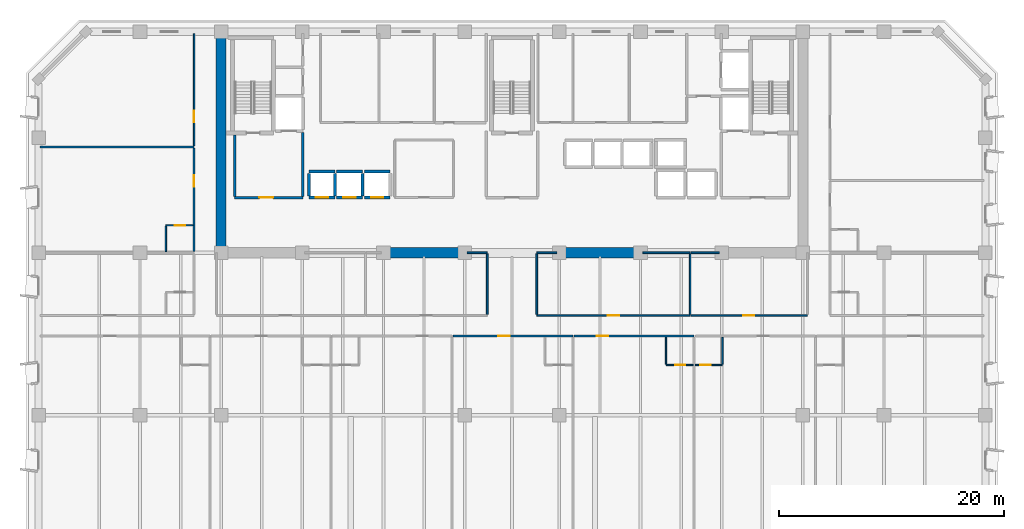
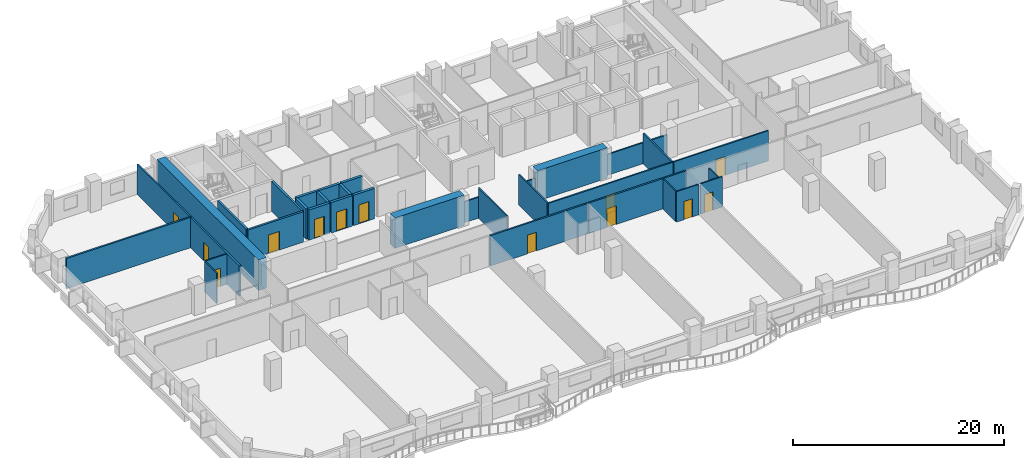
# One storey, part 6 of 15: 35 walls, 13 doors, 13 openings.
"""IFC4 building model written with IfcOpenShell, lengths in metres."""

from ifc_helpers import new_model, si_unit, direction, frame, frame_2d, origin, place, context, subcontext, project, spatial, rectangle, extrude, material, layer, layer_set, type_object, element, fill, save


model = new_model("IFC4")

# Units and contexts
model_context = context("Model", 3, precision=1e-05, world=origin(), true_north=direction((0.0, 1.0)))
body_context = subcontext(model_context, "Body", "Model", "MODEL_VIEW")
ifc_project = project(units=[si_unit("LENGTHUNIT", "METRE"), si_unit("AREAUNIT", "SQUARE_METRE"), si_unit("VOLUMEUNIT", "CUBIC_METRE"), si_unit("PLANEANGLEUNIT", "RADIAN"), si_unit("MASSUNIT", "GRAM", prefix="KILO")], contexts=[model_context])

# Site, building, storey
site_placement = place(None, origin())
site = spatial("IfcSite", under=ifc_project, at=site_placement, CompositionType="ELEMENT")
building_placement = place(site_placement, origin())
building = spatial("IfcBuilding", under=site, at=building_placement, Name="Kaelvorn Grand Hotel", CompositionType="ELEMENT")
storey_placement = place(building_placement, frame((0.0, 0.0, 100.550048828125)))
storey = spatial("IfcBuildingStorey", under=building, at=storey_placement, Name="L23", CompositionType="ELEMENT", Elevation=100.550048828125)

# Walls
ifc_material_1 = material(Name="Concrete C60/75", Category="concrete")
ifc_layer_1 = layer(ifc_material_1, 0.89990234375)
ifc_layer_set_1 = layer_set([ifc_layer_1], Name="Concrete C60/75")
wall_type_1 = type_object("IfcWallType", Name="WL-CORE-900-C60", PredefinedType="SHEAR", material=ifc_layer_set_1)
wall_1_placement = place(storey_placement, frame((16.199951171875, 29.39990234375, 0.0), z_axis=(0.0, 0.0, 1.0), x_axis=(0.0, 1.0, 0.0)))
element("IfcWall", 1, at=wall_1_placement, inside=storey, type_object=wall_type_1, Name="L23 Rear-Core West Shear Wall", PredefinedType="SHEAR", context=body_context, shape_type="SweptSolid", body=[
    extrude(rectangle(XDim=19.2001953125, YDim=0.89990234375, at=frame_2d((9.60009765625, 0.0))), origin(), (0.0, 0.0, 1.0), 3.510009765625),
])
for number, where, z_axis, x_axis, name in (
    (2, (30.39990234375, 29.39990234375, 0.0), (0.0, 0.0, 1.0), (1.0, 0.0, 0.0), "L23 Rear-Core Coupled Shear Pier S2"),
    (3, (46.0, 29.39990234375, 0.0), (0.0, 0.0, 1.0), (1.0, 0.0, 0.0), "L23 Rear-Core Coupled Shear Pier S3"),
):
    element("IfcWall", number, at=place(storey_placement, frame(where, z_axis=z_axis, x_axis=x_axis)), inside=storey, type_object=wall_type_1, Name=name, PredefinedType="SHEAR", context=body_context, shape_type="SweptSolid", body=[
        extrude(rectangle(XDim=7.60009765625, YDim=0.89990234375, at=frame_2d((3.800048828125, 0.0))), origin(), (0.0, 0.0, 1.0), 3.510009765625),
    ])

# Wall, opening, door
ifc_material_2 = material(Name="Moisture-Resistant Tile & Stud Board")
ifc_layer_2 = layer(ifc_material_2, 0.125)
ifc_layer_set_2 = layer_set([ifc_layer_2], Name="Moisture-Resistant Tile & Stud Board")
wall_type_2 = type_object("IfcWallType", Name="WL-PART-125-WET", PredefinedType="PARTITIONING", material=ifc_layer_set_2)
wall_2_placement = place(storey_placement, frame((55.66455078125, 19.449951171875, 0.0), z_axis=(0.0, 0.0, 1.0), x_axis=(1.0, 0.0, 0.0)))
wall_2 = element("IfcWall", 4, at=wall_2_placement, inside=storey, type_object=wall_type_2, Name="L23 En-suite Bathroom L23-05 S Partition", PredefinedType="PARTITIONING", context=body_context, shape_type="SweptSolid", body=[
    extrude(rectangle(XDim=2.405029296875, YDim=0.125, at=frame_2d((1.20263671875, 0.0))), origin(), (0.0, 0.0, 1.0), 3.510009765625),
])
opening_1_placement = place(wall_2_placement, frame((0.800048828125, 0.0, 0.0)))
opening_1 = element("IfcOpeningElement", 5, at=opening_1_placement, cuts=wall_2, Name="Opening DI4", PredefinedType="OPENING", context=body_context, shape_type="SweptSolid", body=[
    extrude(rectangle(XDim=0.89990234375, YDim=2.10009765625, at=frame_2d((0.449951171875, 1.050048828125))), frame((0.0, 0.072509765625, 0.0), z_axis=(0.0, -1.0, 0.0), x_axis=(1.0, 0.0, 0.0)), (0.0, 0.0, 1.0), 0.14501953125),
])
ifc_material_3 = material(Name="Timber Veneer Leaf", Category="wood")
door_type_1 = type_object("IfcDoorType", Name="DR-INT-BATH-900x2100", OperationType="NOTDEFINED", PredefinedType="DOOR", material=ifc_material_3)
door_1_placement = place(opening_1_placement, origin())
door_1 = element("IfcDoor", 6, at=door_1_placement, inside=storey, type_object=door_type_1, Name="L23 En-suite Bathroom L23-05 Door", OperationType="SINGLE_SWING_LEFT", OverallHeight=2.10009765625, OverallWidth=0.89990234375, PredefinedType="DOOR", context=body_context, shape_type="SweptSolid", body=[
    extrude(rectangle(XDim=0.89990234375, YDim=2.10009765625, at=frame_2d((0.449951171875, 1.050048828125))), frame((0.0, 0.02490234375, 0.0), z_axis=(0.0, -1.0, 0.0), x_axis=(1.0, 0.0, 0.0)), (0.0, 0.0, 1.0), 0.050048828125),
])
fill(opening_1, door_1)

# Wall
wall_3_placement = place(storey_placement, frame((55.66455078125, 19.517578125, 0.0), z_axis=(0.0, 0.0, 1.0), x_axis=(0.0, 1.0, 0.0)))
element("IfcWall", 7, at=wall_3_placement, inside=storey, type_object=wall_type_2, Name="L23 En-suite Bathroom L23-05 W Partition", PredefinedType="PARTITIONING", context=body_context, shape_type="SweptSolid", body=[
    extrude(rectangle(XDim=2.387451171875, YDim=0.125, at=frame_2d((1.19384765625, 0.0))), origin(), (0.0, 0.0, 1.0), 3.510009765625),
])

# Wall, opening, door
wall_4_placement = place(storey_placement, frame((58.259521484375, 19.449951171875, 0.0), z_axis=(0.0, 0.0, 1.0), x_axis=(1.0, 0.0, 0.0)))
wall_4 = element("IfcWall", 8, at=wall_4_placement, inside=storey, type_object=wall_type_2, Name="L23 En-suite Bathroom L23-06 S Partition", PredefinedType="PARTITIONING", context=body_context, shape_type="SweptSolid", body=[
    extrude(rectangle(XDim=2.405029296875, YDim=0.125, at=frame_2d((1.20263671875, 0.0))), origin(), (0.0, 0.0, 1.0), 3.510009765625),
])
opening_2_placement = place(wall_4_placement, frame((0.455078125, 0.0, 0.0)))
opening_2 = element("IfcOpeningElement", 9, at=opening_2_placement, cuts=wall_4, Name="Opening DI4", PredefinedType="OPENING", context=body_context, shape_type="SweptSolid", body=[
    extrude(rectangle(XDim=0.89990234375, YDim=2.10009765625, at=frame_2d((0.449951171875, 1.050048828125))), frame((0.0, 0.072509765625, 0.0), z_axis=(0.0, -1.0, 0.0), x_axis=(1.0, 0.0, 0.0)), (0.0, 0.0, 1.0), 0.14501953125),
])
door_2_placement = place(opening_2_placement, origin())
door_2 = element("IfcDoor", 10, at=door_2_placement, inside=storey, type_object=door_type_1, Name="L23 En-suite Bathroom L23-06 Door", OperationType="SINGLE_SWING_LEFT", OverallHeight=2.10009765625, OverallWidth=0.89990234375, PredefinedType="DOOR", context=body_context, shape_type="SweptSolid", body=[
    extrude(rectangle(XDim=0.89990234375, YDim=2.10009765625, at=frame_2d((0.449951171875, 1.050048828125))), frame((0.0, 0.02490234375, 0.0), z_axis=(0.0, -1.0, 0.0), x_axis=(1.0, 0.0, 0.0)), (0.0, 0.0, 1.0), 0.050048828125),
])
fill(opening_2, door_2)

# Wall
wall_5_placement = place(storey_placement, frame((60.66455078125, 19.517578125, 0.0), z_axis=(0.0, 0.0, 1.0), x_axis=(0.0, 1.0, 0.0)))
element("IfcWall", 11, at=wall_5_placement, inside=storey, type_object=wall_type_2, Name="L23 En-suite Bathroom L23-06 E Partition", PredefinedType="PARTITIONING", context=body_context, shape_type="SweptSolid", body=[
    extrude(rectangle(XDim=2.387451171875, YDim=0.125, at=frame_2d((1.19384765625, 0.0))), origin(), (0.0, 0.0, 1.0), 2.976806640625),
])

# Wall, opening, door
wall_6_placement = place(storey_placement, frame((11.300048828125, 31.840087890625, 0.0), z_axis=(0.0, 0.0, 1.0), x_axis=(1.0, 0.0, 0.0)))
wall_6 = element("IfcWall", 12, at=wall_6_placement, inside=storey, type_object=wall_type_2, Name="L23 En-suite Bathroom L23-10 N Partition", PredefinedType="PARTITIONING", context=body_context, shape_type="SweptSolid", body=[
    extrude(rectangle(XDim=2.405029296875, YDim=0.125, at=frame_2d((1.20263671875, 0.0))), origin(), (0.0, 0.0, 1.0), 3.510009765625),
])
opening_3_placement = place(wall_6_placement, frame((0.800048828125, 0.0, 0.0)))
opening_3 = element("IfcOpeningElement", 13, at=opening_3_placement, cuts=wall_6, Name="Opening DI4", PredefinedType="OPENING", context=body_context, shape_type="SweptSolid", body=[
    extrude(rectangle(XDim=0.89990234375, YDim=2.10009765625, at=frame_2d((0.449951171875, 1.050048828125))), frame((0.0, 0.072509765625, 0.0), z_axis=(0.0, -1.0, 0.0), x_axis=(1.0, 0.0, 0.0)), (0.0, 0.0, 1.0), 0.14501953125),
])
door_3_placement = place(opening_3_placement, origin())
door_3 = element("IfcDoor", 14, at=door_3_placement, inside=storey, type_object=door_type_1, Name="L23 En-suite Bathroom L23-10 Door", OperationType="SINGLE_SWING_LEFT", OverallHeight=2.10009765625, OverallWidth=0.89990234375, PredefinedType="DOOR", context=body_context, shape_type="SweptSolid", body=[
    extrude(rectangle(XDim=0.89990234375, YDim=2.10009765625, at=frame_2d((0.449951171875, 1.050048828125))), frame((0.0, 0.02490234375, 0.0), z_axis=(0.0, -1.0, 0.0), x_axis=(1.0, 0.0, 0.0)), (0.0, 0.0, 1.0), 0.050048828125),
])
fill(opening_3, door_3)

# Walls
wall_7_placement = place(storey_placement, frame((11.300048828125, 29.4951171875, 0.0), z_axis=(0.0, 0.0, 1.0), x_axis=(0.0, 1.0, 0.0)))
element("IfcWall", 15, at=wall_7_placement, inside=storey, type_object=wall_type_2, Name="L23 En-suite Bathroom L23-10 W Partition", PredefinedType="PARTITIONING", context=body_context, shape_type="SweptSolid", body=[
    extrude(rectangle(XDim=2.27734375, YDim=0.125, at=frame_2d((1.138671875, 0.0))), origin(), (0.0, 0.0, 1.0), 3.510009765625),
])
ifc_material_4 = material(Name="Acoustic Gypsum & Stud Partition")
ifc_layer_3 = layer(ifc_material_4, 0.14990234375)
ifc_layer_set_3 = layer_set([ifc_layer_3], Name="Acoustic Gypsum & Stud Partition")
wall_type_3 = type_object("IfcWallType", Name="WL-PART-150-EI60", PredefinedType="PARTITIONING", material=ifc_layer_set_3)
wall_8_placement = place(storey_placement, frame((38.010009765625, 29.39990234375, 0.0), z_axis=(0.0, 0.0, 1.0), x_axis=(1.0, 0.0, 0.0)))
element("IfcWall", 16, at=wall_8_placement, inside=storey, type_object=wall_type_3, Name="L23 Private Chef Kitchen N Partition (2)", PredefinedType="PARTITIONING", context=body_context, shape_type="SweptSolid", body=[
    extrude(rectangle(XDim=1.7900390625, YDim=0.14990234375, at=frame_2d((0.89501953125, 0.0))), origin(), (0.0, 0.0, 1.0), 2.409912109375),
])
wall_9_placement = place(storey_placement, frame((39.800048828125, 23.929931640625, 0.0), z_axis=(0.0, 0.0, 1.0), x_axis=(0.0, 1.0, 0.0)))
element("IfcWall", 17, at=wall_9_placement, inside=storey, type_object=wall_type_3, Name="L23 Private Chef Kitchen E Partition", PredefinedType="PARTITIONING", context=body_context, shape_type="SweptSolid", body=[
    extrude(rectangle(XDim=5.39013671875, YDim=0.14990234375, at=frame_2d((2.695068359375, 0.0))), origin(), (0.0, 0.0, 1.0), 3.510009765625),
])

# Wall, opening, door
wall_10_placement = place(storey_placement, frame((44.199951171875, 23.85009765625, 0.0), z_axis=(0.0, 0.0, 1.0), x_axis=(1.0, 0.0, 0.0)))
wall_10 = element("IfcWall", 18, at=wall_10_placement, inside=storey, type_object=wall_type_3, Name="L23 Summit Conference Room S Partition", PredefinedType="PARTITIONING", context=body_context, shape_type="SweptSolid", body=[
    extrude(rectangle(XDim=13.60009765625, YDim=0.14990234375, at=frame_2d((6.800048828125, 0.0))), origin(), (0.0, 0.0, 1.0), 3.510009765625),
])
opening_4_placement = place(wall_10_placement, frame((6.300048828125, 0.0, 0.0)))
opening_4 = element("IfcOpeningElement", 19, at=opening_4_placement, cuts=wall_10, Name="Opening DI3", PredefinedType="OPENING", context=body_context, shape_type="SweptSolid", body=[
    extrude(rectangle(XDim=1.0, YDim=2.14990234375, at=frame_2d((0.5, 1.074951171875))), frame((0.0, 0.0849609375, 0.0), z_axis=(0.0, -1.0, 0.0), x_axis=(1.0, 0.0, 0.0)), (0.0, 0.0, 1.0), 0.169921875),
])
ifc_material_5 = material(Name="Timber Veneer Fire Leaf", Category="wood")
door_type_2 = type_object("IfcDoorType", Name="DR-INT-GUEST-1000x2150", OperationType="NOTDEFINED", PredefinedType="DOOR", material=ifc_material_5)
door_4_placement = place(opening_4_placement, origin())
door_4 = element("IfcDoor", 20, at=door_4_placement, inside=storey, type_object=door_type_2, Name="L23 Summit Conference Room Door", OperationType="SINGLE_SWING_RIGHT", OverallHeight=2.14990234375, OverallWidth=1.0, PredefinedType="DOOR", context=body_context, shape_type="SweptSolid", body=[
    extrude(rectangle(XDim=1.0, YDim=2.14990234375, at=frame_2d((0.5, 1.074951171875))), frame((0.0, 0.02490234375, 0.0), z_axis=(0.0, -1.0, 0.0), x_axis=(1.0, 0.0, 0.0)), (0.0, 0.0, 1.0), 0.050048828125),
])
fill(opening_4, door_4)

# Walls
wall_11_placement = place(storey_placement, frame((44.199951171875, 29.39990234375, 0.0), z_axis=(0.0, 0.0, 1.0), x_axis=(1.0, 0.0, 0.0)))
element("IfcWall", 21, at=wall_11_placement, inside=storey, type_object=wall_type_3, Name="L23 Summit Conference Room N Partition (1)", PredefinedType="PARTITIONING", context=body_context, shape_type="SweptSolid", body=[
    extrude(rectangle(XDim=1.7900390625, YDim=0.14990234375, at=frame_2d((0.89501953125, 0.0))), origin(), (0.0, 0.0, 1.0), 2.409912109375),
])
wall_12_placement = place(storey_placement, frame((53.610107421875, 29.39990234375, 0.0), z_axis=(0.0, 0.0, 1.0), x_axis=(1.0, 0.0, 0.0)))
element("IfcWall", 22, at=wall_12_placement, inside=storey, type_object=wall_type_3, Name="L23 Summit Conference Room N Partition (2)", PredefinedType="PARTITIONING", context=body_context, shape_type="SweptSolid", body=[
    extrude(rectangle(XDim=4.18994140625, YDim=0.14990234375, at=frame_2d((2.094970703125, 0.0))), origin(), (0.0, 0.0, 1.0), 2.409912109375),
])
for number, where, z_axis, x_axis, name in (
    (23, (44.199951171875, 23.929931640625, 0.0), (0.0, 0.0, 1.0), (0.0, 1.0, 0.0), "L23 Summit Conference Room W Partition"),
    (24, (57.800048828125, 23.929931640625, 0.0), (0.0, 0.0, 1.0), (0.0, 1.0, 0.0), "L23 Summit Conference Room E Partition"),
):
    element("IfcWall", number, at=place(storey_placement, frame(where, z_axis=z_axis, x_axis=x_axis)), inside=storey, type_object=wall_type_3, Name=name, PredefinedType="PARTITIONING", context=body_context, shape_type="SweptSolid", body=[
        extrude(rectangle(XDim=5.39013671875, YDim=0.14990234375, at=frame_2d((2.695068359375, 0.0))), origin(), (0.0, 0.0, 1.0), 3.510009765625),
    ])

# Wall, opening, door
wall_13_placement = place(storey_placement, frame((57.8798828125, 23.85009765625, 0.0), z_axis=(0.0, 0.0, 1.0), x_axis=(1.0, 0.0, 0.0)))
wall_13 = element("IfcWall", 25, at=wall_13_placement, inside=storey, type_object=wall_type_3, Name="L23 Executive Law Office S Partition", PredefinedType="PARTITIONING", context=body_context, shape_type="SweptSolid", body=[
    extrude(rectangle(XDim=10.320068359375, YDim=0.14990234375, at=frame_2d((5.16015625, 0.0))), origin(), (0.0, 0.0, 1.0), 3.510009765625),
])
opening_5_placement = place(wall_13_placement, frame((4.6201171875, 0.0, 0.0)))
opening_5 = element("IfcOpeningElement", 26, at=opening_5_placement, cuts=wall_13, Name="Opening DI3", PredefinedType="OPENING", context=body_context, shape_type="SweptSolid", body=[
    extrude(rectangle(XDim=1.0, YDim=2.14990234375, at=frame_2d((0.5, 1.074951171875))), frame((0.0, 0.0849609375, 0.0), z_axis=(0.0, -1.0, 0.0), x_axis=(1.0, 0.0, 0.0)), (0.0, 0.0, 1.0), 0.169921875),
])
door_5_placement = place(opening_5_placement, origin())
door_5 = element("IfcDoor", 27, at=door_5_placement, inside=storey, type_object=door_type_2, Name="L23 Executive Law Office Door", OperationType="SINGLE_SWING_LEFT", OverallHeight=2.14990234375, OverallWidth=1.0, PredefinedType="DOOR", context=body_context, shape_type="SweptSolid", body=[
    extrude(rectangle(XDim=1.0, YDim=2.14990234375, at=frame_2d((0.5, 1.074951171875))), frame((0.0, 0.02490234375, 0.0), z_axis=(0.0, -1.0, 0.0), x_axis=(1.0, 0.0, 0.0)), (0.0, 0.0, 1.0), 0.050048828125),
])
fill(opening_5, door_5)

# Wall
wall_14_placement = place(storey_placement, frame((57.8798828125, 29.39990234375, 0.0), z_axis=(0.0, 0.0, 1.0), x_axis=(1.0, 0.0, 0.0)))
element("IfcWall", 28, at=wall_14_placement, inside=storey, type_object=wall_type_3, Name="L23 Executive Law Office N Partition", PredefinedType="PARTITIONING", context=body_context, shape_type="SweptSolid", body=[
    extrude(rectangle(XDim=2.510009765625, YDim=0.14990234375, at=frame_2d((1.2548828125, 0.0))), origin(), (0.0, 0.0, 1.0), 2.409912109375),
])

# Wall, opening, door
wall_15_placement = place(storey_placement, frame((13.800048828125, 38.89501953125, 0.0), z_axis=(0.0, 0.0, 1.0), x_axis=(0.0, 1.0, 0.0)))
wall_15 = element("IfcWall", 29, at=wall_15_placement, inside=storey, type_object=wall_type_3, Name="L23 North-West Executive Law Office E Partition", PredefinedType="PARTITIONING", context=body_context, shape_type="SweptSolid", body=[
    extrude(rectangle(XDim=9.955078125, YDim=0.14990234375, at=frame_2d((4.9775390625, 0.0))), origin(), (0.0, 0.0, 1.0), 3.510009765625),
])
opening_6_placement = place(wall_15_placement, frame((2.10498046875, 0.0, 0.0)))
opening_6 = element("IfcOpeningElement", 30, at=opening_6_placement, cuts=wall_15, Name="Opening DI3", PredefinedType="OPENING", context=body_context, shape_type="SweptSolid", body=[
    extrude(rectangle(XDim=1.0, YDim=2.14990234375, at=frame_2d((0.5, 1.074951171875))), frame((0.0, 0.0849609375, 0.0), z_axis=(0.0, -1.0, 0.0), x_axis=(1.0, 0.0, 0.0)), (0.0, 0.0, 1.0), 0.169921875),
])
door_6_placement = place(opening_6_placement, origin())
door_6 = element("IfcDoor", 31, at=door_6_placement, inside=storey, type_object=door_type_2, Name="L23 North-West Executive Law Office Door", OperationType="SINGLE_SWING_RIGHT", OverallHeight=2.14990234375, OverallWidth=1.0, PredefinedType="DOOR", context=body_context, shape_type="SweptSolid", body=[
    extrude(rectangle(XDim=1.0, YDim=2.14990234375, at=frame_2d((0.5, 1.074951171875))), frame((0.0, 0.02490234375, 0.0), z_axis=(0.0, -1.0, 0.0), x_axis=(1.0, 0.0, 0.0)), (0.0, 0.0, 1.0), 0.050048828125),
])
fill(opening_6, door_6)

ifc_layer_4 = layer(ifc_material_4, 0.179931640625)
ifc_layer_set_4 = layer_set([ifc_layer_4], Name="Acoustic Gypsum & Stud Partition")
wall_type_4 = type_object("IfcWallType", Name="WL-PART-180-EI60", PredefinedType="PARTITIONING", material=ifc_layer_set_4)
wall_16_placement = place(storey_placement, frame((36.773681640625, 22.0, 0.0), z_axis=(0.0, 0.0, 1.0), x_axis=(1.0, 0.0, 0.0)))
wall_16 = element("IfcWall", 32, at=wall_16_placement, inside=storey, type_object=wall_type_4, Name="L23 Deluxe Panoramic Suite L23-04 N Partition", PredefinedType="PARTITIONING", context=body_context, shape_type="SweptSolid", body=[
    extrude(rectangle(XDim=10.64794921875, YDim=0.179931640625, at=frame_2d((5.323974609375, 0.0))), origin(), (0.0, 0.0, 1.0), 3.510009765625),
])
opening_7_placement = place(wall_16_placement, frame((4.027099609375, 0.0, 0.0)))
opening_7 = element("IfcOpeningElement", 33, at=opening_7_placement, cuts=wall_16, Name="Opening DI3", PredefinedType="OPENING", context=body_context, shape_type="SweptSolid", body=[
    extrude(rectangle(XDim=1.0, YDim=2.14990234375, at=frame_2d((0.5, 1.074951171875))), frame((0.0, 0.10009765625, 0.0), z_axis=(0.0, -1.0, 0.0), x_axis=(1.0, 0.0, 0.0)), (0.0, 0.0, 1.0), 0.199951171875),
])
door_7_placement = place(opening_7_placement, origin())
door_7 = element("IfcDoor", 34, at=door_7_placement, inside=storey, type_object=door_type_2, Name="L23 Deluxe Panoramic Suite L23-04 Door", OperationType="SINGLE_SWING_RIGHT", OverallHeight=2.14990234375, OverallWidth=1.0, PredefinedType="DOOR", context=body_context, shape_type="SweptSolid", body=[
    extrude(rectangle(XDim=1.0, YDim=2.14990234375, at=frame_2d((0.5, 1.074951171875))), frame((0.0, 0.02490234375, 0.0), z_axis=(0.0, -1.0, 0.0), x_axis=(1.0, 0.0, 0.0)), (0.0, 0.0, 1.0), 0.050048828125),
])
fill(opening_7, door_7)

wall_17_placement = place(storey_placement, frame((47.5166015625, 22.0, 0.0), z_axis=(0.0, 0.0, 1.0), x_axis=(1.0, 0.0, 0.0)))
wall_17 = element("IfcWall", 35, at=wall_17_placement, inside=storey, type_object=wall_type_4, Name="L23 Deluxe Panoramic Suite L23-05 N Partition", PredefinedType="PARTITIONING", context=body_context, shape_type="SweptSolid", body=[
    extrude(rectangle(XDim=10.64794921875, YDim=0.179931640625, at=frame_2d((5.323974609375, 0.0))), origin(), (0.0, 0.0, 1.0), 3.510009765625),
])
opening_8_placement = place(wall_17_placement, frame((2.004150390625, 0.0, 0.0)))
opening_8 = element("IfcOpeningElement", 36, at=opening_8_placement, cuts=wall_17, Name="Opening DI3", PredefinedType="OPENING", context=body_context, shape_type="SweptSolid", body=[
    extrude(rectangle(XDim=1.0, YDim=2.14990234375, at=frame_2d((0.5, 1.074951171875))), frame((0.0, 0.10009765625, 0.0), z_axis=(0.0, -1.0, 0.0), x_axis=(1.0, 0.0, 0.0)), (0.0, 0.0, 1.0), 0.199951171875),
])
door_8_placement = place(opening_8_placement, origin())
door_8 = element("IfcDoor", 37, at=door_8_placement, inside=storey, type_object=door_type_2, Name="L23 Deluxe Panoramic Suite L23-05 Door", OperationType="SINGLE_SWING_RIGHT", OverallHeight=2.14990234375, OverallWidth=1.0, PredefinedType="DOOR", context=body_context, shape_type="SweptSolid", body=[
    extrude(rectangle(XDim=1.0, YDim=2.14990234375, at=frame_2d((0.5, 1.074951171875))), frame((0.0, 0.02490234375, 0.0), z_axis=(0.0, -1.0, 0.0), x_axis=(1.0, 0.0, 0.0)), (0.0, 0.0, 1.0), 0.050048828125),
])
fill(opening_8, door_8)

# Wall
wall_18_placement = place(storey_placement, frame((0.14990234375, 38.800048828125, 0.0), z_axis=(0.0, 0.0, 1.0), x_axis=(1.0, 0.0, 0.0)))
element("IfcWall", 38, at=wall_18_placement, inside=storey, type_object=wall_type_4, Name="L23 North-West Wing Suite L23-10 N Partition", PredefinedType="PARTITIONING", context=body_context, shape_type="SweptSolid", body=[
    extrude(rectangle(XDim=13.650146484375, YDim=0.179931640625, at=frame_2d((6.8251953125, 0.0))), origin(), (0.0, 0.0, 1.0), 3.510009765625),
])

# Wall, opening, door
wall_19_placement = place(storey_placement, frame((13.800048828125, 29.4951171875, 0.0), z_axis=(0.0, 0.0, 1.0), x_axis=(0.0, 1.0, 0.0)))
wall_19 = element("IfcWall", 39, at=wall_19_placement, inside=storey, type_object=wall_type_4, Name="L23 North-West Wing Suite L23-10 E Partition", PredefinedType="PARTITIONING", context=body_context, shape_type="SweptSolid", body=[
    extrude(rectangle(XDim=9.2099609375, YDim=0.179931640625, at=frame_2d((4.60498046875, 0.0))), origin(), (0.0, 0.0, 1.0), 3.510009765625),
])
opening_9_placement = place(wall_19_placement, frame((5.77490234375, 0.0, 0.0)))
opening_9 = element("IfcOpeningElement", 40, at=opening_9_placement, cuts=wall_19, Name="Opening DI3", PredefinedType="OPENING", context=body_context, shape_type="SweptSolid", body=[
    extrude(rectangle(XDim=1.0, YDim=2.14990234375, at=frame_2d((0.5, 1.074951171875))), frame((0.0, 0.10009765625, 0.0), z_axis=(0.0, -1.0, 0.0), x_axis=(1.0, 0.0, 0.0)), (0.0, 0.0, 1.0), 0.199951171875),
])
door_9_placement = place(opening_9_placement, origin())
door_9 = element("IfcDoor", 41, at=door_9_placement, inside=storey, type_object=door_type_2, Name="L23 North-West Wing Suite L23-10 Door", OperationType="SINGLE_SWING_RIGHT", OverallHeight=2.14990234375, OverallWidth=1.0, PredefinedType="DOOR", context=body_context, shape_type="SweptSolid", body=[
    extrude(rectangle(XDim=1.0, YDim=2.14990234375, at=frame_2d((0.5, 1.074951171875))), frame((0.0, 0.02490234375, 0.0), z_axis=(0.0, -1.0, 0.0), x_axis=(1.0, 0.0, 0.0)), (0.0, 0.0, 1.0), 0.050048828125),
])
fill(opening_9, door_9)

ifc_material_6 = material(Name="Concrete C40/50", Category="concrete")
ifc_layer_5 = layer(ifc_material_6, 0.219970703125)
ifc_layer_set_5 = layer_set([ifc_layer_5], Name="Concrete C40/50")
wall_type_5 = type_object("IfcWallType", Name="WL-PART-220-EI120", PredefinedType="PARTITIONING", material=ifc_layer_set_5)
wall_20_placement = place(storey_placement, frame((17.39990234375, 34.300048828125, 0.0), z_axis=(0.0, 0.0, 1.0), x_axis=(1.0, 0.0, 0.0)))
wall_20 = element("IfcWall", 42, at=wall_20_placement, inside=storey, type_object=wall_type_5, Name="L23 Firefighting Lift Lobby 1 S Partition", PredefinedType="PARTITIONING", context=body_context, shape_type="SweptSolid", body=[
    extrude(rectangle(XDim=6.050048828125, YDim=0.219970703125, at=frame_2d((3.02490234375, 0.0))), origin(), (0.0, 0.0, 1.0), 3.510009765625),
])
opening_10_placement = place(wall_20_placement, frame((2.199951171875, 0.0, 0.0)))
opening_10 = element("IfcOpeningElement", 43, at=opening_10_placement, cuts=wall_20, Name="Opening DI2", PredefinedType="OPENING", context=body_context, shape_type="SweptSolid", body=[
    extrude(rectangle(XDim=1.199951171875, YDim=2.14990234375, at=frame_2d((0.60009765625, 1.074951171875))), frame((0.0, 0.1201171875, 0.0), z_axis=(0.0, -1.0, 0.0), x_axis=(1.0, 0.0, 0.0)), (0.0, 0.0, 1.0), 0.239990234375),
])
door_type_3 = type_object("IfcDoorType", Name="DR-INT-FFLOB-1200x2150", OperationType="NOTDEFINED", PredefinedType="DOOR", material=ifc_material_5)
door_10_placement = place(opening_10_placement, origin())
door_10 = element("IfcDoor", 44, at=door_10_placement, inside=storey, type_object=door_type_3, Name="L23 Firefighting Lift Lobby 1 Door", OperationType="SINGLE_SWING_LEFT", OverallHeight=2.14990234375, OverallWidth=1.199951171875, PredefinedType="DOOR", context=body_context, shape_type="SweptSolid", body=[
    extrude(rectangle(XDim=1.199951171875, YDim=2.14990234375, at=frame_2d((0.60009765625, 1.074951171875))), frame((0.0, 0.02490234375, 0.0), z_axis=(0.0, -1.0, 0.0), x_axis=(1.0, 0.0, 0.0)), (0.0, 0.0, 1.0), 0.050048828125),
])
fill(opening_10, door_10)

# Walls
wall_21_placement = place(storey_placement, frame((17.39990234375, 34.4150390625, 0.0), z_axis=(0.0, 0.0, 1.0), x_axis=(0.0, 1.0, 0.0)))
element("IfcWall", 45, at=wall_21_placement, inside=storey, type_object=wall_type_5, Name="L23 Firefighting Lift Lobby 1 W Partition", PredefinedType="PARTITIONING", context=body_context, shape_type="SweptSolid", body=[
    extrude(rectangle(XDim=5.429931640625, YDim=0.219970703125, at=frame_2d((2.71484375, 0.0))), origin(), (0.0, 0.0, 1.0), 3.510009765625),
])
wall_22_placement = place(storey_placement, frame((23.449951171875, 34.4150390625, 0.0), z_axis=(0.0, 0.0, 1.0), x_axis=(0.0, 1.0, 0.0)))
element("IfcWall", 46, at=wall_22_placement, inside=storey, type_object=wall_type_5, Name="L23 Firefighting Lift Lobby 1 E Partition", PredefinedType="PARTITIONING", context=body_context, shape_type="SweptSolid", body=[
    extrude(rectangle(XDim=5.639892578125, YDim=0.219970703125, at=frame_2d((2.81982421875, 0.0))), origin(), (0.0, 0.0, 1.0), 3.510009765625),
])

# Wall, opening, door
ifc_material_7 = material(Name="Concrete C50/60", Category="concrete")
ifc_layer_6 = layer(ifc_material_7, 0.280029296875)
ifc_layer_set_6 = layer_set([ifc_layer_6], Name="Concrete C50/60")
wall_type_6 = type_object("IfcWallType", Name="WL-SHAFT-280-C50", PredefinedType="SHEAR", material=ifc_layer_set_6)
wall_23_placement = place(storey_placement, frame((24.0, 34.300048828125, 0.0), z_axis=(0.0, 0.0, 1.0), x_axis=(1.0, 0.0, 0.0)))
wall_23 = element("IfcWall", 47, at=wall_23_placement, inside=storey, type_object=wall_type_6, Name="L23 Lift PL-L1 Shaft South Wall", PredefinedType="SHEAR", context=body_context, shape_type="SweptSolid", body=[
    extrude(rectangle(XDim=2.300048828125, YDim=0.280029296875, at=frame_2d((1.14990234375, 0.0))), origin(), (0.0, 0.0, 1.0), 3.510009765625),
])
opening_11_placement = place(wall_23_placement, frame((0.60009765625, 0.0, 0.0)))
opening_11 = element("IfcOpeningElement", 48, at=opening_11_placement, cuts=wall_23, Name="Opening LD-PL-L1", PredefinedType="OPENING", context=body_context, shape_type="SweptSolid", body=[
    extrude(rectangle(XDim=1.10009765625, YDim=2.199951171875, at=frame_2d((0.550048828125, 1.10009765625))), frame((0.0, 0.14990234375, 0.0), z_axis=(0.0, -1.0, 0.0), x_axis=(1.0, 0.0, 0.0)), (0.0, 0.0, 1.0), 0.300048828125),
])
ifc_material_8 = material(Name="Stainless Steel", Category="steel")
door_type_4 = type_object("IfcDoorType", Name="DR-LIFT-PASS-1100x2200", OperationType="DOUBLE_DOOR_SLIDING", PredefinedType="DOOR", material=ifc_material_8)
door_11_placement = place(opening_11_placement, origin())
door_11 = element("IfcDoor", 49, at=door_11_placement, inside=storey, type_object=door_type_4, Name="L23 Lift PL-L1 Sliding Landing Door LD-PL-L1", OperationType="DOUBLE_DOOR_SLIDING", OverallHeight=2.199951171875, OverallWidth=1.10009765625, PredefinedType="DOOR", context=body_context, shape_type="SweptSolid", body=[
    extrude(rectangle(XDim=1.10009765625, YDim=2.199951171875, at=frame_2d((0.550048828125, 1.10009765625))), frame((0.0, 0.02490234375, 0.0), z_axis=(0.0, -1.0, 0.0), x_axis=(1.0, 0.0, 0.0)), (0.0, 0.0, 1.0), 0.050048828125),
])
fill(opening_11, door_11)

# Walls
wall_24_placement = place(storey_placement, frame((24.0, 36.60009765625, 0.0), z_axis=(0.0, 0.0, 1.0), x_axis=(1.0, 0.0, 0.0)))
element("IfcWall", 50, at=wall_24_placement, inside=storey, type_object=wall_type_6, Name="L23 Lift PL-L1 Shaft North Wall", PredefinedType="SHEAR", context=body_context, shape_type="SweptSolid", body=[
    extrude(rectangle(XDim=2.300048828125, YDim=0.280029296875, at=frame_2d((1.14990234375, 0.0))), origin(), (0.0, 0.0, 1.0), 3.510009765625),
])
for number, where, z_axis, x_axis, name in (
    (51, (24.0, 34.445068359375, 0.0), (0.0, 0.0, 1.0), (0.0, 1.0, 0.0), "L23 Lift PL-L1 Shaft West Wall"),
    (52, (26.300048828125, 34.445068359375, 0.0), (0.0, 0.0, 1.0), (0.0, 1.0, 0.0), "L23 Lift PL-L1 Shaft East Wall"),
):
    element("IfcWall", number, at=place(storey_placement, frame(where, z_axis=z_axis, x_axis=x_axis)), inside=storey, type_object=wall_type_6, Name=name, PredefinedType="SHEAR", context=body_context, shape_type="SweptSolid", body=[
        extrude(rectangle(XDim=2.010009765625, YDim=0.280029296875, at=frame_2d((1.0048828125, 0.0))), origin(), (0.0, 0.0, 1.0), 3.510009765625),
    ])

# Wall, opening, door
wall_25_placement = place(storey_placement, frame((26.449951171875, 34.300048828125, 0.0), z_axis=(0.0, 0.0, 1.0), x_axis=(1.0, 0.0, 0.0)))
wall_25 = element("IfcWall", 53, at=wall_25_placement, inside=storey, type_object=wall_type_6, Name="L23 Lift PL-L2 Shaft South Wall", PredefinedType="SHEAR", context=body_context, shape_type="SweptSolid", body=[
    extrude(rectangle(XDim=2.300048828125, YDim=0.280029296875, at=frame_2d((1.14990234375, 0.0))), origin(), (0.0, 0.0, 1.0), 3.510009765625),
])
opening_12_placement = place(wall_25_placement, frame((0.60009765625, 0.0, 0.0)))
opening_12 = element("IfcOpeningElement", 54, at=opening_12_placement, cuts=wall_25, Name="Opening LD-PL-L2", PredefinedType="OPENING", context=body_context, shape_type="SweptSolid", body=[
    extrude(rectangle(XDim=1.10009765625, YDim=2.199951171875, at=frame_2d((0.550048828125, 1.10009765625))), frame((0.0, 0.14990234375, 0.0), z_axis=(0.0, -1.0, 0.0), x_axis=(1.0, 0.0, 0.0)), (0.0, 0.0, 1.0), 0.300048828125),
])
door_12_placement = place(opening_12_placement, origin())
door_12 = element("IfcDoor", 55, at=door_12_placement, inside=storey, type_object=door_type_4, Name="L23 Lift PL-L2 Sliding Landing Door LD-PL-L2", OperationType="DOUBLE_DOOR_SLIDING", OverallHeight=2.199951171875, OverallWidth=1.10009765625, PredefinedType="DOOR", context=body_context, shape_type="SweptSolid", body=[
    extrude(rectangle(XDim=1.10009765625, YDim=2.199951171875, at=frame_2d((0.550048828125, 1.10009765625))), frame((0.0, 0.02490234375, 0.0), z_axis=(0.0, -1.0, 0.0), x_axis=(1.0, 0.0, 0.0)), (0.0, 0.0, 1.0), 0.050048828125),
])
fill(opening_12, door_12)

# Walls
wall_26_placement = place(storey_placement, frame((26.449951171875, 36.60009765625, 0.0), z_axis=(0.0, 0.0, 1.0), x_axis=(1.0, 0.0, 0.0)))
element("IfcWall", 56, at=wall_26_placement, inside=storey, type_object=wall_type_6, Name="L23 Lift PL-L2 Shaft North Wall", PredefinedType="SHEAR", context=body_context, shape_type="SweptSolid", body=[
    extrude(rectangle(XDim=2.300048828125, YDim=0.280029296875, at=frame_2d((1.14990234375, 0.0))), origin(), (0.0, 0.0, 1.0), 3.510009765625),
])
wall_27_placement = place(storey_placement, frame((28.75, 34.445068359375, 0.0), z_axis=(0.0, 0.0, 1.0), x_axis=(0.0, 1.0, 0.0)))
element("IfcWall", 57, at=wall_27_placement, inside=storey, type_object=wall_type_6, Name="L23 Lift PL-L2 Shaft East Wall", PredefinedType="SHEAR", context=body_context, shape_type="SweptSolid", body=[
    extrude(rectangle(XDim=2.010009765625, YDim=0.280029296875, at=frame_2d((1.0048828125, 0.0))), origin(), (0.0, 0.0, 1.0), 3.510009765625),
])

# Wall, opening, door
wall_28_placement = place(storey_placement, frame((28.89990234375, 34.300048828125, 0.0), z_axis=(0.0, 0.0, 1.0), x_axis=(1.0, 0.0, 0.0)))
wall_28 = element("IfcWall", 58, at=wall_28_placement, inside=storey, type_object=wall_type_6, Name="L23 Lift PL-L3 Shaft South Wall", PredefinedType="SHEAR", context=body_context, shape_type="SweptSolid", body=[
    extrude(rectangle(XDim=2.300048828125, YDim=0.280029296875, at=frame_2d((1.14990234375, 0.0))), origin(), (0.0, 0.0, 1.0), 3.510009765625),
])
opening_13_placement = place(wall_28_placement, frame((0.60009765625, 0.0, 0.0)))
opening_13 = element("IfcOpeningElement", 59, at=opening_13_placement, cuts=wall_28, Name="Opening LD-PL-L3", PredefinedType="OPENING", context=body_context, shape_type="SweptSolid", body=[
    extrude(rectangle(XDim=1.10009765625, YDim=2.199951171875, at=frame_2d((0.550048828125, 1.10009765625))), frame((0.0, 0.14990234375, 0.0), z_axis=(0.0, -1.0, 0.0), x_axis=(1.0, 0.0, 0.0)), (0.0, 0.0, 1.0), 0.300048828125),
])
door_13_placement = place(opening_13_placement, origin())
door_13 = element("IfcDoor", 60, at=door_13_placement, inside=storey, type_object=door_type_4, Name="L23 Lift PL-L3 Sliding Landing Door LD-PL-L3", OperationType="DOUBLE_DOOR_SLIDING", OverallHeight=2.199951171875, OverallWidth=1.10009765625, PredefinedType="DOOR", context=body_context, shape_type="SweptSolid", body=[
    extrude(rectangle(XDim=1.10009765625, YDim=2.199951171875, at=frame_2d((0.550048828125, 1.10009765625))), frame((0.0, 0.02490234375, 0.0), z_axis=(0.0, -1.0, 0.0), x_axis=(1.0, 0.0, 0.0)), (0.0, 0.0, 1.0), 0.050048828125),
])
fill(opening_13, door_13)

# Wall
wall_29_placement = place(storey_placement, frame((28.89990234375, 36.60009765625, 0.0), z_axis=(0.0, 0.0, 1.0), x_axis=(1.0, 0.0, 0.0)))
element("IfcWall", 61, at=wall_29_placement, inside=storey, type_object=wall_type_6, Name="L23 Lift PL-L3 Shaft North Wall", PredefinedType="SHEAR", context=body_context, shape_type="SweptSolid", body=[
    extrude(rectangle(XDim=2.300048828125, YDim=0.280029296875, at=frame_2d((1.14990234375, 0.0))), origin(), (0.0, 0.0, 1.0), 3.510009765625),
])

save(model, "model.ifc")
